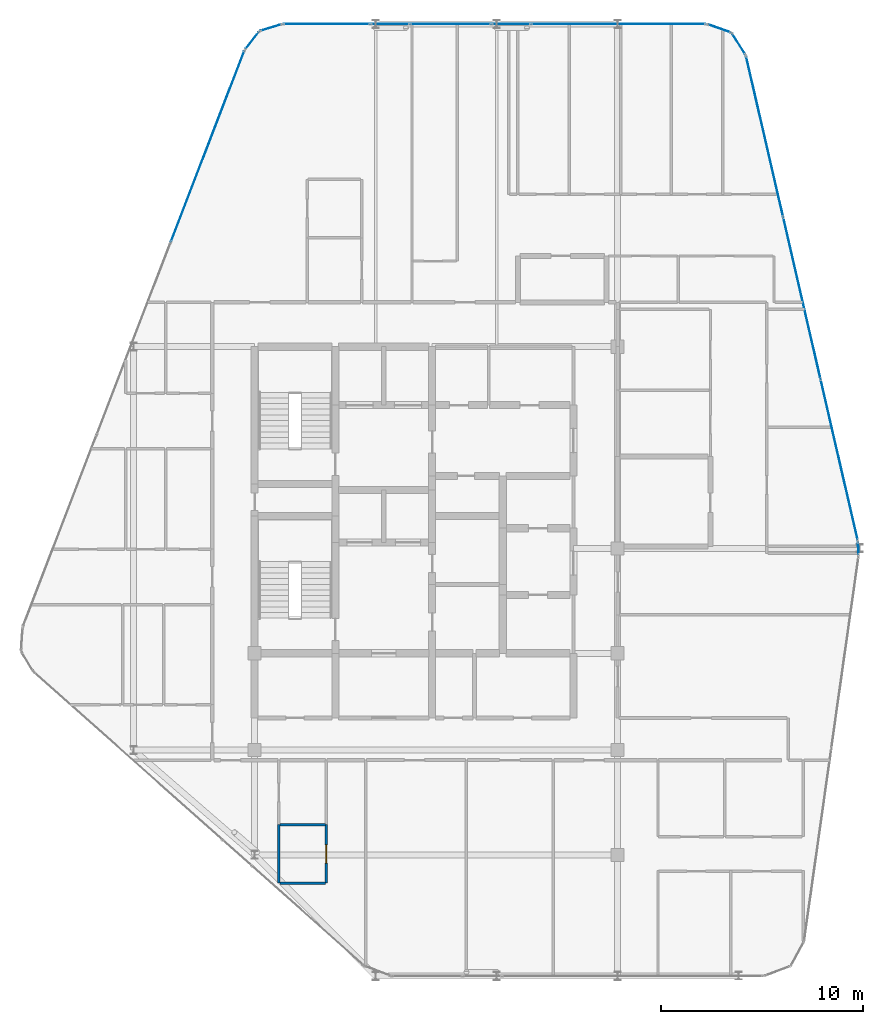
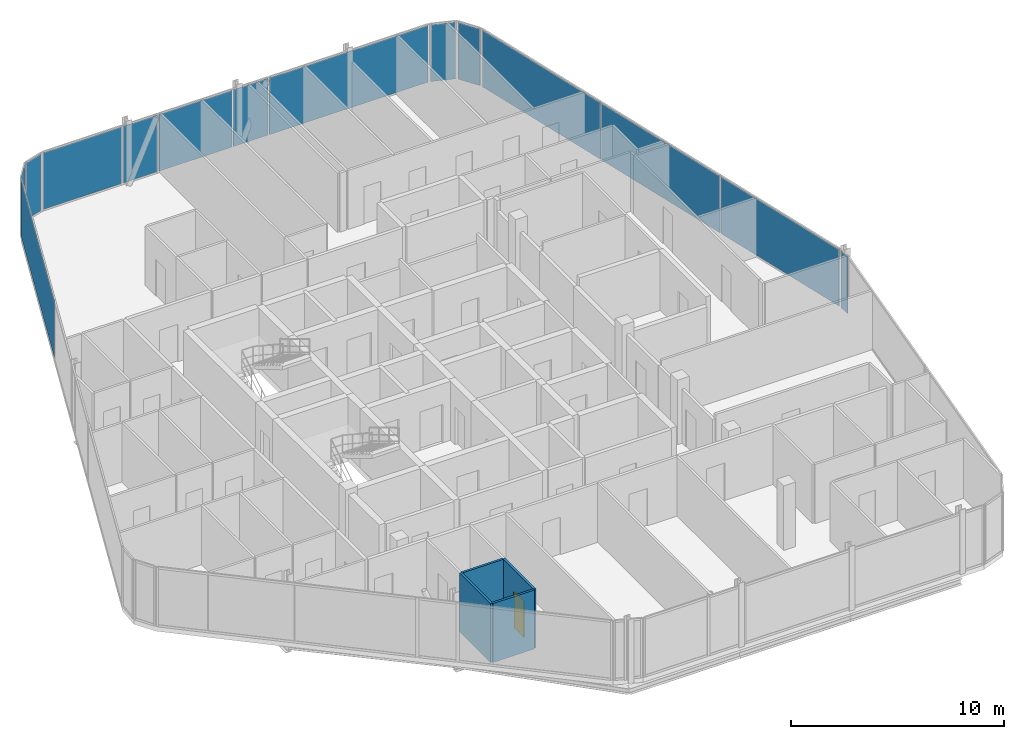
# One storey, part 21 of 27: 14 plates, 4 walls, 1 door, 1 opening, 12 elements without a shape of their own.
"""IFC4 building model written with IfcOpenShell, lengths in metres."""

import ifcopenshell
import ifcopenshell.guid

model = None  # the IFC model being written
_history = None  # IfcOwnerHistory: only IFC2X3 demands one
_inside = {}  # id of a spatial element -> (the spatial element, [elements in it])
_under = {}  # id of a project, library or spatial element -> (it, [spatial elements below it])
_declared = {}  # id of a project -> (the project, [libraries it declares])
_typed = {}  # id of a type object -> (the type object, [elements of that type])
_made_of = {}  # id of a material, layer set ... -> (it, [elements and type objects made of it])


def new_model(schema):
    """Start an empty IFC model of exactly this schema.

    Asked for "IFC4X3", IfcOpenShell would pick the latest addendum, in which some entities
    have other attributes; the version numbers below select the first issue.
    IFC2X3 requires an IfcOwnerHistory on every rooted entity: one is made here for all.
    """
    global model, _history
    if schema == "IFC4X3":
        model = ifcopenshell.file(schema_version=(4, 3, 0, 0))
    else:
        model = ifcopenshell.file(schema=schema)
    _inside.clear()
    _under.clear()
    _declared.clear()
    _typed.clear()
    _made_of.clear()
    _history = None
    if model.schema == "IFC2X3":
        org = make("IfcOrganization", Name="unknown")
        user = make(
            "IfcPersonAndOrganization",
            ThePerson=make("IfcPerson", FamilyName="unknown"),
            TheOrganization=org,
        )
        app = make(
            "IfcApplication",
            ApplicationDeveloper=org,
            Version="unknown",
            ApplicationFullName="unknown",
            ApplicationIdentifier="unknown",
        )
        _history = make(
            "IfcOwnerHistory",
            OwningUser=user,
            OwningApplication=app,
            ChangeAction="ADDED",
            CreationDate=0,
        )
    return model


def make(cls, **values):
    """One entity of the class cls with the attributes given. An attribute that is None is left unset."""
    return model.create_entity(
        cls, **{name: value for name, value in values.items() if value is not None}
    )


def rooted(cls, **values):
    """An entity with a GlobalId (a new one), such as an element, a storey or a relation."""
    return make(cls, GlobalId=ifcopenshell.guid.new(), OwnerHistory=_history, **values)


def si_unit(unit_type, name, prefix=None):
    """IfcSIUnit, for example si_unit("LENGTHUNIT", "METRE", prefix="MILLI")."""
    return make("IfcSIUnit", UnitType=unit_type, Prefix=prefix, Name=name)


def assignment(units):
    """IfcUnitAssignment: the units of a project."""
    return None if units is None else make("IfcUnitAssignment", Units=units)


def point(xyz):
    """IfcCartesianPoint."""
    return None if xyz is None else make("IfcCartesianPoint", Coordinates=xyz)


def direction(xyz):
    """IfcDirection."""
    return None if xyz is None else make("IfcDirection", DirectionRatios=xyz)


def frame(location, z_axis=None, x_axis=None):
    """IfcAxis2Placement3D, a coordinate frame: its origin and axes. An axis left out is left unset."""
    return make(
        "IfcAxis2Placement3D",
        Location=point(location),
        Axis=direction(z_axis),
        RefDirection=direction(x_axis),
    )


def frame_2d(location, x_axis=None):
    """IfcAxis2Placement2D, a coordinate frame in the plane: its origin and x axis."""
    return make(
        "IfcAxis2Placement2D", Location=point(location), RefDirection=direction(x_axis)
    )


def origin():
    """The frame at (0, 0, 0) with its axes left unset."""
    return frame((0.0, 0.0, 0.0))


def origin_2d():
    """The frame at (0, 0) in the plane with its x axis left unset."""
    return frame_2d((0.0, 0.0))


def place(relative_to, where):
    """IfcLocalPlacement: puts the frame where relative to a parent placement (None: the world)."""
    return make(
        "IfcLocalPlacement", PlacementRelTo=relative_to, RelativePlacement=where
    )


def context(
    kind, dimensions, precision=None, world=None, true_north=None, identifier=None
):
    """IfcGeometricRepresentationContext, for example the 3D "Model" context."""
    return make(
        "IfcGeometricRepresentationContext",
        ContextIdentifier=identifier,
        ContextType=kind,
        CoordinateSpaceDimension=dimensions,
        Precision=precision,
        WorldCoordinateSystem=world,
        TrueNorth=true_north,
    )


def subcontext(parent, identifier, kind, view, scale=None):
    """IfcGeometricRepresentationSubContext, for example "Body" below "Model"."""
    return make(
        "IfcGeometricRepresentationSubContext",
        ContextIdentifier=identifier,
        ContextType=kind,
        ParentContext=parent,
        TargetScale=scale,
        TargetView=view,
    )


def project(units=None, contexts=None):
    """IfcProject with its units and contexts."""
    return rooted(
        "IfcProject",
        Name="project",
        RepresentationContexts=contexts,
        UnitsInContext=assignment(units),
    )


def spatial(cls, under=None, at=None, **own):
    """A site, building, storey or space (cls), placed at a placement, below another one or the project."""
    s = rooted(cls, ObjectPlacement=at, **own)
    if under is not None:
        _under.setdefault(under.id(), (under, []))[1].append(s)
    return s


def profile(cls, at=None, kind="AREA", **sizes):
    """A parametric profile (cls). Its sizes go by their IFC names, for example OverallWidth=200.0."""
    return make(cls, ProfileType=kind, Position=at, **sizes)


def rectangle(**sizes):
    """IfcRectangleProfileDef."""
    return profile("IfcRectangleProfileDef", **sizes)


def extrude(swept, where, along, depth):
    """IfcExtrudedAreaSolid: the profile swept, set in the frame where, extruded along a direction by depth."""
    return make(
        "IfcExtrudedAreaSolid",
        SweptArea=swept,
        Position=where,
        ExtrudedDirection=direction(along),
        Depth=depth,
    )


def shape(context_of_items, identifier, shape_type, items):
    """IfcShapeRepresentation: the items that make up one representation, for example the "Body"."""
    return make(
        "IfcShapeRepresentation",
        ContextOfItems=context_of_items,
        RepresentationIdentifier=identifier,
        RepresentationType=shape_type,
        Items=items,
    )


def material(Name=None, Category=None):
    """IfcMaterial."""
    return make("IfcMaterial", Name=Name, Category=Category)


def layer(
    of_material, thickness, ventilated=None, Name=None, Category=None, Priority=None
):
    """IfcMaterialLayer: one layer of a wall or slab, of a material (None: an air gap)."""
    return make(
        "IfcMaterialLayer",
        Material=of_material,
        LayerThickness=thickness,
        IsVentilated=ventilated,
        Name=Name,
        Category=Category,
        Priority=Priority,
    )


def layer_set(layers, Name=None):
    """IfcMaterialLayerSet."""
    return make("IfcMaterialLayerSet", MaterialLayers=layers, LayerSetName=Name)


def made_of(thing, what):
    """Note that an element or type object is made of a material, layer set ...; save() writes the relation."""
    if what is not None:
        _made_of.setdefault(what.id(), (what, []))[1].append(thing)
    return thing


def type_object(cls, material=None, **own):
    """A type object (cls), such as IfcWallType, which elements share."""
    return made_of(rooted(cls, **own), material)


def element(
    cls,
    number,
    at=None,
    inside=None,
    cuts=None,
    type_object=None,
    material=None,
    context=None,
    identifier="Body",
    shape_type=None,
    held_by="IfcProductDefinitionShape",
    body=None,
    shapes=None,
    **own,
):
    """One element of the class cls, such as IfcWall. Its Tag is "e" and its number.

    at: its placement. inside: the storey or other place that contains it. cuts: it is an
    opening in that element (IfcRelVoidsElement). A single representation is given by context,
    identifier, shape_type and body (its items); several are given by shapes. held_by: the class
    of the entity that holds the representations. save() writes the other relations.
    """
    e = rooted(cls, Tag="e%d" % number, ObjectPlacement=at, **own)
    if body is not None:
        shapes = [shape(context, identifier, shape_type, body)]
    if shapes is not None:
        e.Representation = make(held_by, Representations=shapes)
    if inside is not None:
        _inside.setdefault(inside.id(), (inside, []))[1].append(e)
    if cuts is not None:
        rooted(
            "IfcRelVoidsElement", RelatingBuildingElement=cuts, RelatedOpeningElement=e
        )
    if type_object is not None:
        _typed.setdefault(type_object.id(), (type_object, []))[1].append(e)
    return made_of(e, material)


def fill(opening, filler):
    """IfcRelFillsElement: the door or window that sits in an opening."""
    return rooted(
        "IfcRelFillsElement",
        RelatingOpeningElement=opening,
        RelatedBuildingElement=filler,
    )


def aggregate(whole, parts):
    """IfcRelAggregates: a whole, such as a stair, and the parts it consists of."""
    return rooted("IfcRelAggregates", RelatingObject=whole, RelatedObjects=parts)


def save(model, path):
    """Write the relations noted so far, then the file.

    IfcRelAggregates (storeys below a building ...), IfcRelContainedInSpatialStructure (elements
    in a storey), IfcRelDefinesByType, IfcRelAssociatesMaterial and IfcRelDeclares: one each for
    every whole, place, type object, material and project.
    """
    for whole, parts in _under.values():
        aggregate(whole, parts)
    for where, things in _inside.values():
        rooted(
            "IfcRelContainedInSpatialStructure",
            RelatedElements=things,
            RelatingStructure=where,
        )
    for kind, things in _typed.values():
        rooted("IfcRelDefinesByType", RelatedObjects=things, RelatingType=kind)
    for what, things in _made_of.values():
        rooted("IfcRelAssociatesMaterial", RelatedObjects=things, RelatingMaterial=what)
    for by, libraries in _declared.values():
        rooted("IfcRelDeclares", RelatingContext=by, RelatedDefinitions=libraries)
    model.write(path)


model = new_model("IFC4")

# Units and contexts
model_context = context("Model", 3, precision=1e-05, world=origin(), true_north=direction((0.0, 1.0)))
body_context = subcontext(model_context, "Body", "Model", "MODEL_VIEW")
ifc_project = project(units=[si_unit("LENGTHUNIT", "METRE"), si_unit("AREAUNIT", "SQUARE_METRE"), si_unit("VOLUMEUNIT", "CUBIC_METRE"), si_unit("PLANEANGLEUNIT", "RADIAN"), si_unit("MASSUNIT", "GRAM", prefix="KILO")], contexts=[model_context])

# Site, building, storey
site_placement = place(None, origin())
site = spatial("IfcSite", under=ifc_project, at=site_placement, CompositionType="ELEMENT")
building_placement = place(site_placement, origin())
building = spatial("IfcBuilding", under=site, at=building_placement, Name="Keshet Zoharim Tower", CompositionType="ELEMENT")
storey_placement = place(building_placement, frame((0.0, 0.0, 291.699951171875)))
storey = spatial("IfcBuildingStorey", under=building, at=storey_placement, Name="L73", CompositionType="ELEMENT", Elevation=291.699951171875)

# Curtain wall, plate
ifc_material_1 = material(Name="Aluminium 6063-T6", Category="aluminium")
ifc_layer_1 = layer(ifc_material_1, 0.260009765625)
ifc_layer_set_1 = layer_set([ifc_layer_1], Name="Aluminium 6063-T6")
curtain_wall_type = type_object("IfcCurtainWallType", Name="CW-SYS-06", PredefinedType="NOTDEFINED", material=ifc_layer_set_1)
curtain_wall_1_placement = place(storey_placement, origin())
curtain_wall_1 = element("IfcCurtainWall", 1, at=curtain_wall_1_placement, inside=storey, type_object=curtain_wall_type, Name="L73 Unitised Curtain Wall 03", PredefinedType="NOTDEFINED")
ifc_material_2 = material(Name="Insulated Low-E Clear Glass", Category="glass")
ifc_layer_2 = layer(ifc_material_2, 0.028076171875)
ifc_layer_set_2 = layer_set([ifc_layer_2], Name="Insulated Low-E Clear Glass")
plate_type_1 = type_object("IfcPlateType", Name="CWP-03", PredefinedType="CURTAIN_PANEL", material=ifc_layer_set_2)
plate_1_placement = place(storey_placement, frame((12.665771484375, 47.830810546875, 0.070068359375), z_axis=(0.0, 0.0, 1.0), x_axis=(0.358990003907, 0.933341404361, 0.0)))
plate_1 = element("IfcPlate", 2, at=plate_1_placement, type_object=plate_type_1, Name="CW-06 panel 3.1", PredefinedType="CURTAIN_PANEL", context=body_context, shape_type="SweptSolid", body=[
    extrude(rectangle(XDim=10.1181640625, YDim=0.028076171875, at=origin_2d()), origin(), (0.0, 0.0, 1.0), 3.25),
])
aggregate(curtain_wall_1, [plate_1])

curtain_wall_2_placement = place(storey_placement, origin())
curtain_wall_2 = element("IfcCurtainWall", 3, at=curtain_wall_2_placement, inside=storey, type_object=curtain_wall_type, Name="L73 Unitised Curtain Wall 04", PredefinedType="NOTDEFINED")
plate_2_placement = place(storey_placement, frame((14.8740234375, 53.08349609375, 0.070068359375), z_axis=(0.0, 0.0, 1.0), x_axis=(0.619124525989, 0.785292825205, 0.0)))
plate_2 = element("IfcPlate", 4, at=plate_2_placement, type_object=plate_type_1, Name="CW-06 panel 1.1", PredefinedType="CURTAIN_PANEL", context=body_context, shape_type="SweptSolid", body=[
    extrude(rectangle(XDim=1.045654296875, YDim=0.028076171875, at=origin_2d()), origin(), (0.0, 0.0, 1.0), 3.25),
])
aggregate(curtain_wall_2, [plate_2])

curtain_wall_3_placement = place(storey_placement, origin())
curtain_wall_3 = element("IfcCurtainWall", 5, at=curtain_wall_3_placement, inside=storey, type_object=curtain_wall_type, Name="L73 Unitised Curtain Wall 05", PredefinedType="NOTDEFINED")
plate_3_placement = place(storey_placement, frame((15.8076171875, 53.724609375, 0.070068359375), z_axis=(0.0, 0.0, 1.0), x_axis=(0.955212151288, 0.295921857984, 0.0)))
plate_3 = element("IfcPlate", 6, at=plate_3_placement, type_object=plate_type_1, Name="CW-06 panel 1.1", PredefinedType="CURTAIN_PANEL", context=body_context, shape_type="SweptSolid", body=[
    extrude(rectangle(XDim=1.046142578125, YDim=0.028076171875, at=origin_2d()), origin(), (0.0, 0.0, 1.0), 3.25),
])
aggregate(curtain_wall_3, [plate_3])

curtain_wall_4_placement = place(storey_placement, origin())
curtain_wall_4 = element("IfcCurtainWall", 7, at=curtain_wall_4_placement, inside=storey, type_object=curtain_wall_type, Name="L73 Unitised Curtain Wall 06", PredefinedType="NOTDEFINED")
plate_4_placement = place(storey_placement, frame((18.57470703125, 53.89990234375, 0.070068359375), z_axis=(0.0, 0.0, 1.0), x_axis=(1.0, 0.0, 0.0)))
plate_4 = element("IfcPlate", 8, at=plate_4_placement, type_object=plate_type_1, Name="CW-06 panel 1.1", PredefinedType="CURTAIN_PANEL", context=body_context, shape_type="SweptSolid", body=[
    extrude(rectangle(XDim=4.26123046875, YDim=0.028076171875, at=origin_2d()), origin(), (0.0, 0.0, 1.0), 3.25),
])
aggregate(curtain_wall_4, [plate_4])

curtain_wall_5_placement = place(storey_placement, origin())
curtain_wall_5 = element("IfcCurtainWall", 9, at=curtain_wall_5_placement, inside=storey, type_object=curtain_wall_type, Name="L73 Unitised Curtain Wall 06 Part 3", PredefinedType="NOTDEFINED")
plate_5_placement = place(storey_placement, frame((24.715087890625, 53.89990234375, 0.070068359375), z_axis=(0.0, 0.0, 1.0), x_axis=(1.0, 0.0, 0.0)))
plate_5 = element("IfcPlate", 10, at=plate_5_placement, type_object=plate_type_1, Name="CW-06 panel 1.1", PredefinedType="CURTAIN_PANEL", context=body_context, shape_type="SweptSolid", body=[
    extrude(rectangle(XDim=3.98046875, YDim=0.028076171875, at=origin_2d()), origin(), (0.0, 0.0, 1.0), 3.25),
])
aggregate(curtain_wall_5, [plate_5])

curtain_wall_6_placement = place(storey_placement, origin())
curtain_wall_6 = element("IfcCurtainWall", 11, at=curtain_wall_6_placement, inside=storey, type_object=curtain_wall_type, Name="L73 Unitised Curtain Wall 06 Part 5", PredefinedType="NOTDEFINED")
plate_6_placement = place(storey_placement, frame((33.031982421875, 53.89990234375, 0.070068359375), z_axis=(0.0, 0.0, 1.0), x_axis=(1.0, 0.0, 0.0)))
plate_6 = element("IfcPlate", 12, at=plate_6_placement, type_object=plate_type_1, Name="CW-06 panel 1.1", PredefinedType="CURTAIN_PANEL", context=body_context, shape_type="SweptSolid", body=[
    extrude(rectangle(XDim=8.6142578125, YDim=0.028076171875, at=origin_2d()), origin(), (0.0, 0.0, 1.0), 3.25),
])
aggregate(curtain_wall_6, [plate_6])

curtain_wall_7_placement = place(storey_placement, origin())
curtain_wall_7 = element("IfcCurtainWall", 13, at=curtain_wall_7_placement, inside=storey, type_object=curtain_wall_type, Name="L73 Unitised Curtain Wall 07", PredefinedType="NOTDEFINED")
plate_7_placement = place(storey_placement, frame((38.031494140625, 53.6826171875, 0.070068359375), z_axis=(0.0, 0.0, 1.0), x_axis=(0.944035542119, -0.329843743636, 0.0)))
plate_7 = element("IfcPlate", 14, at=plate_7_placement, type_object=plate_type_1, Name="CW-06 panel 1.1", PredefinedType="CURTAIN_PANEL", context=body_context, shape_type="SweptSolid", body=[
    extrude(rectangle(XDim=1.1787109375, YDim=0.028076171875, at=origin_2d()), origin(), (0.0, 0.0, 1.0), 3.25),
])
aggregate(curtain_wall_7, [plate_7])

curtain_wall_8_placement = place(storey_placement, origin())
curtain_wall_8 = element("IfcCurtainWall", 15, at=curtain_wall_8_placement, inside=storey, type_object=curtain_wall_type, Name="L73 Unitised Curtain Wall 08", PredefinedType="NOTDEFINED")
plate_8_placement = place(storey_placement, frame((39.006103515625, 52.907470703125, 0.070068359375), z_axis=(0.0, 0.0, 1.0), x_axis=(0.533878858502, -0.845560976183, 0.0)))
plate_8 = element("IfcPlate", 16, at=plate_8_placement, type_object=plate_type_1, Name="CW-06 panel 1.1", PredefinedType="CURTAIN_PANEL", context=body_context, shape_type="SweptSolid", body=[
    extrude(rectangle(XDim=1.1787109375, YDim=0.028076171875, at=origin_2d()), origin(), (0.0, 0.0, 1.0), 3.25),
])
aggregate(curtain_wall_8, [plate_8])

# Curtain wall, plates
curtain_wall_9_placement = place(storey_placement, origin())
curtain_wall_9 = element("IfcCurtainWall", 17, at=curtain_wall_9_placement, inside=storey, type_object=curtain_wall_type, Name="L73 Unitised Curtain Wall 09", PredefinedType="NOTDEFINED")
plate_9_placement = place(storey_placement, frame((40.288330078125, 48.318359375, 0.070068359375), z_axis=(0.0, 0.0, 1.0), x_axis=(0.224829963294, -0.974398012932, 0.0)))
plate_9 = element("IfcPlate", 18, at=plate_9_placement, type_object=plate_type_1, Name="CW-06 panel 1.1", PredefinedType="CURTAIN_PANEL", context=body_context, shape_type="SweptSolid", body=[
    extrude(rectangle(XDim=8.13525390625, YDim=0.028076171875, at=origin_2d()), origin(), (0.0, 0.0, 1.0), 3.25),
])
plate_10_placement = place(storey_placement, frame((42.136962890625, 40.305908203125, 0.070068359375), z_axis=(0.0, 0.0, 1.0), x_axis=(0.224829963294, -0.974398012932, 0.0)))
plate_10 = element("IfcPlate", 19, at=plate_10_placement, type_object=plate_type_1, Name="CW-06 panel 2.1", PredefinedType="CURTAIN_PANEL", context=body_context, shape_type="SweptSolid", body=[
    extrude(rectangle(XDim=8.17041015625, YDim=0.028076171875, at=origin_2d()), origin(), (0.0, 0.0, 1.0), 3.25),
])
plate_11_placement = place(storey_placement, frame((43.98583984375, 32.293701171875, 0.070068359375), z_axis=(0.0, 0.0, 1.0), x_axis=(0.224829963294, -0.974398012932, 0.0)))
plate_11 = element("IfcPlate", 20, at=plate_11_placement, type_object=plate_type_1, Name="CW-06 panel 3.1", PredefinedType="CURTAIN_PANEL", context=body_context, shape_type="SweptSolid", body=[
    extrude(rectangle(XDim=8.13525390625, YDim=0.028076171875, at=origin_2d()), origin(), (0.0, 0.0, 1.0), 3.25),
])
aggregate(curtain_wall_9, [plate_9, plate_10, plate_11])

# Curtain wall, plate
curtain_wall_10_placement = place(storey_placement, origin())
curtain_wall_10 = element("IfcCurtainWall", 21, at=curtain_wall_10_placement, inside=storey, type_object=curtain_wall_type, Name="L73 Unitised Curtain Wall 10", PredefinedType="NOTDEFINED")
plate_12_placement = place(storey_placement, frame((44.931884765625, 27.89697265625, 0.070068359375), z_axis=(0.0, 0.0, 1.0), x_axis=(0.043793560626, -0.999040601801, 0.0)))
plate_12 = element("IfcPlate", 22, at=plate_12_placement, type_object=plate_type_1, Name="CW-06 panel 1.1", PredefinedType="CURTAIN_PANEL", context=body_context, shape_type="SweptSolid", body=[
    extrude(rectangle(XDim=0.5908203125, YDim=0.028076171875, at=origin_2d()), origin(), (0.0, 0.0, 1.0), 3.25),
])
aggregate(curtain_wall_10, [plate_12])

curtain_wall_11_placement = place(storey_placement, origin())
curtain_wall_11 = element("IfcCurtainWall", 23, at=curtain_wall_11_placement, inside=storey, type_object=curtain_wall_type, Name="L73 Unitised Curtain Wall 06 Part 2", PredefinedType="NOTDEFINED")
ifc_material_3 = material(Name="Insulated Aluminium Spandrel Panel", Category="aluminium")
ifc_layer_3 = layer(ifc_material_3, 0.028076171875)
ifc_layer_set_3 = layer_set([ifc_layer_3], Name="Insulated Aluminium Spandrel Panel")
plate_type_2 = type_object("IfcPlateType", Name="CWP-06", PredefinedType="CURTAIN_PANEL", material=ifc_layer_set_3)
plate_13_placement = place(storey_placement, frame((21.715087890625, 53.89990234375, 0.070068359375), z_axis=(0.0, 0.0, 1.0), x_axis=(1.0, 0.0, 0.0)))
plate_13 = element("IfcPlate", 24, at=plate_13_placement, type_object=plate_type_2, Name="CW-06 spandrel panel 1.1", PredefinedType="CURTAIN_PANEL", context=body_context, shape_type="SweptSolid", body=[
    extrude(rectangle(XDim=1.879638671875, YDim=0.028076171875, at=origin_2d()), origin(), (0.0, 0.0, 1.0), 3.25),
])
aggregate(curtain_wall_11, [plate_13])

curtain_wall_12_placement = place(storey_placement, origin())
curtain_wall_12 = element("IfcCurtainWall", 25, at=curtain_wall_12_placement, inside=storey, type_object=curtain_wall_type, Name="L73 Unitised Curtain Wall 06 Part 4", PredefinedType="NOTDEFINED")
plate_14_placement = place(storey_placement, frame((27.715087890625, 53.89990234375, 0.070068359375), z_axis=(0.0, 0.0, 1.0), x_axis=(1.0, 0.0, 0.0)))
plate_14 = element("IfcPlate", 26, at=plate_14_placement, type_object=plate_type_2, Name="CW-06 spandrel panel 1.1", PredefinedType="CURTAIN_PANEL", context=body_context, shape_type="SweptSolid", body=[
    extrude(rectangle(XDim=1.879638671875, YDim=0.028076171875, at=origin_2d()), origin(), (0.0, 0.0, 1.0), 3.25),
])
aggregate(curtain_wall_12, [plate_14])

# Wall
ifc_material_4 = material(Name="Gypsum Plasterboard", Category="gypsum")
ifc_layer_4 = layer(ifc_material_4, 0.1201171875)
ifc_layer_set_4 = layer_set([ifc_layer_4], Name="Gypsum Plasterboard")
wall_type = type_object("IfcWallType", Name="WL-WET-120", PredefinedType="PARTITIONING", material=ifc_layer_set_4)
wall_1_placement = place(storey_placement, frame((16.199951171875, 11.300048828125, 0.0), z_axis=(0.0, 0.0, 1.0), x_axis=(0.0, 1.0, 0.0)))
element("IfcWall", 27, at=wall_1_placement, inside=storey, type_object=wall_type, Name="L73 Interior Wall 017", PredefinedType="PARTITIONING", context=body_context, shape_type="SweptSolid", body=[
    extrude(rectangle(XDim=2.89990234375, YDim=0.1201171875, at=frame_2d((1.449951171875, 0.0))), origin(), (0.0, 0.0, 1.0), 3.39013671875),
])

# Wall, opening, door
wall_2_placement = place(storey_placement, frame((18.550048828125, 11.300048828125, 0.0), z_axis=(0.0, 0.0, 1.0), x_axis=(0.0, 1.0, 0.0)))
wall_2 = element("IfcWall", 28, at=wall_2_placement, inside=storey, type_object=wall_type, Name="L73 Interior Wall 021", PredefinedType="PARTITIONING", context=body_context, shape_type="SweptSolid", body=[
    extrude(rectangle(XDim=2.89990234375, YDim=0.1201171875, at=frame_2d((1.449951171875, 0.0))), origin(), (0.0, 0.0, 1.0), 3.39013671875),
])
opening_placement = place(wall_2_placement, frame((1.0, 0.0, 0.0)))
opening = element("IfcOpeningElement", 29, at=opening_placement, cuts=wall_2, Name="Opening D-WT90", PredefinedType="OPENING", context=body_context, shape_type="SweptSolid", body=[
    extrude(rectangle(XDim=0.89990234375, YDim=2.10009765625, at=frame_2d((0.449951171875, 1.050048828125))), frame((0.0, 0.070068359375, 0.0), z_axis=(0.0, -1.0, 0.0), x_axis=(1.0, 0.0, 0.0)), (0.0, 0.0, 1.0), 0.14013671875),
])
ifc_material_5 = material(Name="Hardwood Timber", Category="wood")
door_type = type_object("IfcDoorType", Name="DR-WET-090", OperationType="NOTDEFINED", PredefinedType="DOOR", material=ifc_material_5)
door_placement = place(opening_placement, origin())
door = element("IfcDoor", 30, at=door_placement, inside=storey, type_object=door_type, Name="Apartment 7301 Bathroom Door", OperationType="SINGLE_SWING_LEFT", OverallHeight=2.10009765625, OverallWidth=0.89990234375, PredefinedType="DOOR", context=body_context, shape_type="SweptSolid", body=[
    extrude(rectangle(XDim=0.89990234375, YDim=2.10009765625, at=frame_2d((0.449951171875, 1.050048828125))), frame((0.0, 0.02490234375, 0.0), z_axis=(0.0, -1.0, 0.0), x_axis=(1.0, 0.0, 0.0)), (0.0, 0.0, 1.0), 0.050048828125),
])
fill(opening, door)

# Walls
for number, where, z_axis, x_axis, name in (
    (31, (16.2451171875, 11.300048828125, 0.0), (0.0, 0.0, 1.0), (1.0, 0.0, 0.0), "L73 Interior Wall 085"),
    (32, (16.2451171875, 14.199951171875, 0.0), (0.0, 0.0, 1.0), (1.0, 0.0, 0.0), "L73 Interior Wall 089"),
):
    element("IfcWall", number, at=place(storey_placement, frame(where, z_axis=z_axis, x_axis=x_axis)), inside=storey, type_object=wall_type, Name=name, PredefinedType="PARTITIONING", context=body_context, shape_type="SweptSolid", body=[
        extrude(rectangle(XDim=2.259765625, YDim=0.1201171875, at=frame_2d((1.1298828125, 0.0))), origin(), (0.0, 0.0, 1.0), 3.39013671875),
    ])

save(model, "model.ifc")
